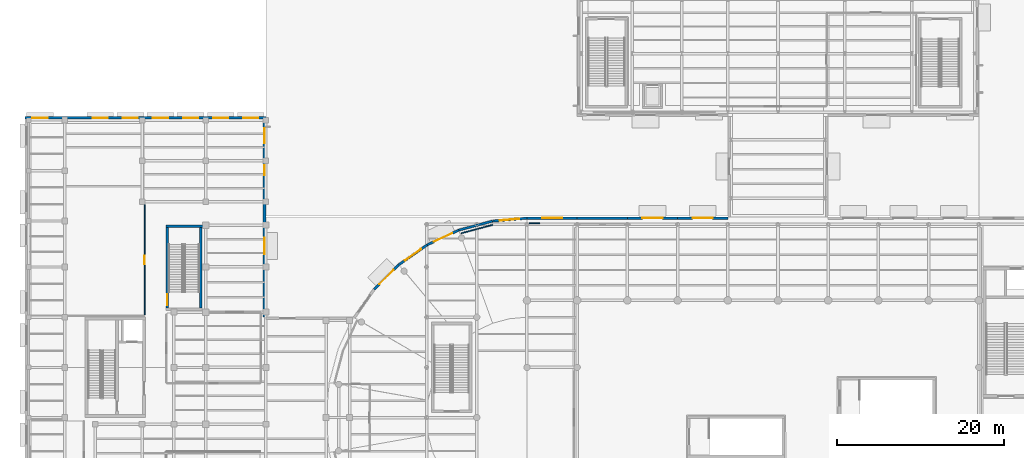
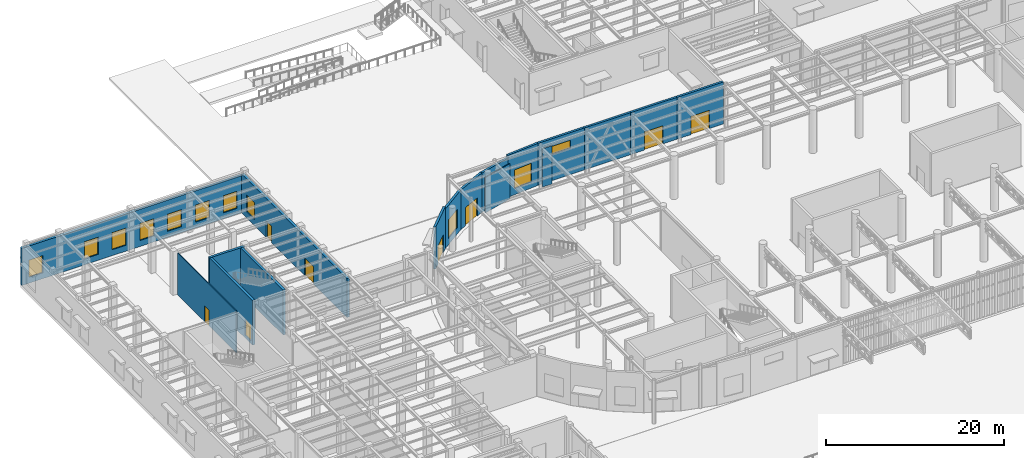
# One storey, part 91 of 118: 17 walls, 11 windows, 8 doors, 19 openings.
"""IFC4 building model written with IfcOpenShell, lengths in metres."""

from ifc_helpers import new_model, si_unit, direction, frame, frame_2d, origin, place, context, subcontext, project, spatial, rectangle, extrude, material, layer, layer_set, type_object, element, fill, save


model = new_model("IFC4")

# Units and contexts
model_context = context("Model", 3, precision=1e-05, world=origin(), true_north=direction((0.0, 1.0)))
body_context = subcontext(model_context, "Body", "Model", "MODEL_VIEW")
ifc_project = project(units=[si_unit("LENGTHUNIT", "METRE"), si_unit("AREAUNIT", "SQUARE_METRE"), si_unit("VOLUMEUNIT", "CUBIC_METRE"), si_unit("PLANEANGLEUNIT", "RADIAN"), si_unit("MASSUNIT", "GRAM", prefix="KILO")], contexts=[model_context])

# Site, building, storey
site_placement = place(None, origin())
site = spatial("IfcSite", under=ifc_project, at=site_placement, CompositionType="ELEMENT")
building_placement = place(site_placement, origin())
building = spatial("IfcBuilding", under=site, at=building_placement, Name="Kolvaren Corner Interchange", CompositionType="ELEMENT")
storey_placement = place(building_placement, origin())
storey = spatial("IfcBuildingStorey", under=building, at=storey_placement, Name="L01", CompositionType="ELEMENT", Elevation=0.0)

# Wall
ifc_material_1 = material(Name="Concrete C35/45", Category="concrete")
ifc_layer_1 = layer(ifc_material_1, 0.31005859375)
ifc_layer_set_1 = layer_set([ifc_layer_1], Name="Concrete C35/45")
wall_type_1 = type_object("IfcWallType", Name="WL-STAIR-300", PredefinedType="SHEAR", material=ifc_layer_set_1)
wall_1_placement = place(storey_placement, frame((16.85009765625, 70.844970703125, -0.39990234375), z_axis=(0.0, 0.0, 1.0), x_axis=(1.0, 0.0, 0.0)))
element("IfcWall", 1, at=wall_1_placement, inside=storey, type_object=wall_type_1, Name="Operations North Wing Protected Exit Stair L01 North Enclosure Wall", PredefinedType="SHEAR", context=body_context, shape_type="SweptSolid", body=[
    extrude(rectangle(XDim=4.599853515625, YDim=0.31005859375, at=frame_2d((2.2998046875, 0.0))), origin(), (0.0, 0.0, 1.0), 6.14990234375),
])

# Wall, opening, door
wall_2_placement = place(storey_placement, frame((17.0048828125, 61.110107421875, -0.39990234375), z_axis=(0.0, 0.0, 1.0), x_axis=(0.0, 1.0, 0.0)))
wall_2 = element("IfcWall", 2, at=wall_2_placement, inside=storey, type_object=wall_type_1, Name="Operations North Wing Protected Exit Stair L01 West Enclosure Wall", PredefinedType="SHEAR", context=body_context, shape_type="SweptSolid", body=[
    extrude(rectangle(XDim=9.579833984375, YDim=0.31005859375, at=frame_2d((4.7900390625, 0.0))), origin(), (0.0, 0.0, 1.0), 6.14990234375),
])
opening_1_placement = place(wall_2_placement, frame((0.300048828125, 0.0, 0.39990234375)))
opening_1 = element("IfcOpeningElement", 3, at=opening_1_placement, cuts=wall_2, Name="Opening D-F05", PredefinedType="OPENING", context=body_context, shape_type="SweptSolid", body=[
    extrude(rectangle(XDim=1.35009765625, YDim=2.14990234375, at=frame_2d((0.675048828125, 1.074951171875))), frame((0.0, 0.1650390625, 0.0), z_axis=(0.0, -1.0, 0.0), x_axis=(1.0, 0.0, 0.0)), (0.0, 0.0, 1.0), 0.330078125),
])
ifc_material_2 = material(Name="Powder-coated Fire-rated Steel Sheet", Category="steel")
door_type_1 = type_object("IfcDoorType", Name="DT-FD-1350x2150", OperationType="NOTDEFINED", PredefinedType="DOOR", material=ifc_material_2)
door_1_placement = place(opening_1_placement, origin())
door_1 = element("IfcDoor", 4, at=door_1_placement, inside=storey, type_object=door_type_1, Name="Operations North Wing Protected Exit Stair L01 Protected Exit Door", OperationType="DOUBLE_DOOR_SINGLE_SWING", OverallHeight=2.14990234375, OverallWidth=1.35009765625, PredefinedType="DOOR", context=body_context, shape_type="SweptSolid", body=[
    extrude(rectangle(XDim=1.35009765625, YDim=2.14990234375, at=frame_2d((0.675048828125, 1.074951171875))), frame((0.0, 0.02490234375, 0.0), z_axis=(0.0, -1.0, 0.0), x_axis=(1.0, 0.0, 0.0)), (0.0, 0.0, 1.0), 0.050048828125),
])
fill(opening_1, door_1)

# Wall
wall_3_placement = place(storey_placement, frame((20.9951171875, 61.110107421875, -0.39990234375), z_axis=(0.0, 0.0, 1.0), x_axis=(0.0, 1.0, 0.0)))
element("IfcWall", 5, at=wall_3_placement, inside=storey, type_object=wall_type_1, Name="Operations North Wing Protected Exit Stair L01 East Enclosure Wall", PredefinedType="SHEAR", context=body_context, shape_type="SweptSolid", body=[
    extrude(rectangle(XDim=9.579833984375, YDim=0.31005859375, at=frame_2d((4.7900390625, 0.0))), origin(), (0.0, 0.0, 1.0), 6.14990234375),
])

# Wall, openings, doors, window
ifc_material_3 = material(Name="Cream Architectural Terracotta Rainscreen Assembly", Category="masonry")
ifc_layer_2 = layer(ifc_material_3, 0.330078125)
ifc_layer_set_2 = layer_set([ifc_layer_2], Name="Cream Architectural Terracotta Rainscreen Assembly")
wall_type_2 = type_object("IfcWallType", Name="WT-EXT-TC320", PredefinedType="SOLIDWALL", material=ifc_layer_set_2)
wall_4_placement = place(storey_placement, frame((28.6298828125, 60.0, 0.0), z_axis=(0.0, 0.0, 1.0), x_axis=(0.0, 1.0, 0.0)))
wall_4 = element("IfcWall", 6, at=wall_4_placement, inside=storey, type_object=wall_type_2, Name="Operations Rain Court East Facade Wall 0008", PredefinedType="SOLIDWALL", context=body_context, shape_type="SweptSolid", body=[
    extrude(rectangle(XDim=23.659912109375, YDim=0.330078125, at=frame_2d((11.830078125, 0.0))), origin(), (0.0, 0.0, 1.0), 5.344970703125),
])
opening_2_placement = place(wall_4_placement, frame((7.517578125, 0.0, 0.0)))
opening_2 = element("IfcOpeningElement", 7, at=opening_2_placement, cuts=wall_4, Name="Opening D-E02", PredefinedType="OPENING", context=body_context, shape_type="SweptSolid", body=[
    extrude(rectangle(XDim=2.0, YDim=2.39990234375, at=frame_2d((1.0, 1.199951171875))), frame((0.0, 0.175048828125, 0.0), z_axis=(0.0, -1.0, 0.0), x_axis=(1.0, 0.0, 0.0)), (0.0, 0.0, 1.0), 0.35009765625),
])
opening_3_placement = place(wall_4_placement, frame((16.979736328125, 0.0, 0.0)))
opening_3 = element("IfcOpeningElement", 8, at=opening_3_placement, cuts=wall_4, Name="Opening D-E03", PredefinedType="OPENING", context=body_context, shape_type="SweptSolid", body=[
    extrude(rectangle(XDim=1.14990234375, YDim=2.25, at=frame_2d((0.574951171875, 1.125))), frame((0.0, 0.175048828125, 0.0), z_axis=(0.0, -1.0, 0.0), x_axis=(1.0, 0.0, 0.0)), (0.0, 0.0, 1.0), 0.35009765625),
])
opening_4_placement = place(wall_4_placement, frame((20.788330078125, 0.0, 0.820068359375)))
opening_4 = element("IfcOpeningElement", 9, at=opening_4_placement, cuts=wall_4, Name="Opening W-03", PredefinedType="OPENING", context=body_context, shape_type="SweptSolid", body=[
    extrude(rectangle(XDim=1.800048828125, YDim=2.35009765625, at=frame_2d((0.89990234375, 1.175048828125))), frame((0.0, 0.175048828125, 0.0), z_axis=(0.0, -1.0, 0.0), x_axis=(1.0, 0.0, 0.0)), (0.0, 0.0, 1.0), 0.35009765625),
])
ifc_material_4 = material(Name="Anodised Aluminium and Laminated Safety Glass", Category="aluminium")
door_type_2 = type_object("IfcDoorType", Name="DT-EXT-DBL2000", OperationType="NOTDEFINED", PredefinedType="DOOR", material=ifc_material_4)
door_2_placement = place(opening_2_placement, origin())
door_2 = element("IfcDoor", 10, at=door_2_placement, inside=storey, type_object=door_type_2, Name="L01 Rain Court Operations Exit Door 003", OperationType="DOUBLE_DOOR_SINGLE_SWING", OverallHeight=2.39990234375, OverallWidth=2.0, PredefinedType="DOOR", context=body_context, shape_type="SweptSolid", body=[
    extrude(rectangle(XDim=2.0, YDim=2.39990234375, at=frame_2d((1.0, 1.199951171875))), frame((0.0, 0.02490234375, 0.0), z_axis=(0.0, -1.0, 0.0), x_axis=(1.0, 0.0, 0.0)), (0.0, 0.0, 1.0), 0.050048828125),
])
fill(opening_2, door_2)
ifc_material_5 = material(Name="Anodised Aluminium and Laminated Safety Glass", Category="aluminium")
door_type_3 = type_object("IfcDoorType", Name="DT-EXT-SGL1150", OperationType="NOTDEFINED", PredefinedType="DOOR", material=ifc_material_5)
door_3_placement = place(opening_3_placement, origin())
door_3 = element("IfcDoor", 11, at=door_3_placement, inside=storey, type_object=door_type_3, Name="L01 North Wing Plinth Exit Door 004", OperationType="SINGLE_SWING_RIGHT", OverallHeight=2.25, OverallWidth=1.14990234375, PredefinedType="DOOR", context=body_context, shape_type="SweptSolid", body=[
    extrude(rectangle(XDim=1.14990234375, YDim=2.25, at=frame_2d((0.574951171875, 1.125))), frame((0.0, 0.02490234375, 0.0), z_axis=(0.0, -1.0, 0.0), x_axis=(1.0, 0.0, 0.0)), (0.0, 0.0, 1.0), 0.050048828125),
])
fill(opening_3, door_3)
ifc_material_6 = material(Name="Thermally Broken Aluminium and Solar-Control Double Glazing", Category="aluminium")
window_type_1 = type_object("IfcWindowType", Name="WT-CHI-1800x2400", PartitioningType="DOUBLE_PANEL_VERTICAL", PredefinedType="WINDOW", material=ifc_material_6)
window_1_placement = place(opening_4_placement, origin())
window_1 = element("IfcWindow", 12, at=window_1_placement, inside=storey, type_object=window_type_1, Name="L01 Operations Rain Court East Facade Window 0009", OverallHeight=2.35009765625, OverallWidth=1.800048828125, PartitioningType="SINGLE_PANEL", PredefinedType="WINDOW", context=body_context, shape_type="SweptSolid", body=[
    extrude(rectangle(XDim=1.800048828125, YDim=2.35009765625, at=frame_2d((0.89990234375, 1.175048828125))), frame((0.0, 0.030029296875, 0.0), z_axis=(0.0, -1.0, 0.0), x_axis=(1.0, 0.0, 0.0)), (0.0, 0.0, 1.0), 0.06005859375),
])
fill(opening_4, window_1)

# Wall, openings, windows
wall_5_placement = place(storey_placement, frame((28.800048828125, 83.830078125, 0.0), z_axis=(0.0, 0.0, 1.0), x_axis=(-1.0, 0.0, 0.0)))
wall_5 = element("IfcWall", 13, at=wall_5_placement, inside=storey, type_object=wall_type_2, Name="Operations North End Facade Wall 0009", PredefinedType="SOLIDWALL", context=body_context, shape_type="SweptSolid", body=[
    extrude(rectangle(XDim=28.800048828125, YDim=0.330078125, at=frame_2d((14.39990234375, 0.0))), origin(), (0.0, 0.0, 1.0), 5.094970703125),
])
opening_5_placement = place(wall_5_placement, frame((0.89990234375, 0.0, 0.820068359375)))
opening_5 = element("IfcOpeningElement", 14, at=opening_5_placement, cuts=wall_5, Name="Opening W-03", PredefinedType="OPENING", context=body_context, shape_type="SweptSolid", body=[
    extrude(rectangle(XDim=1.800048828125, YDim=2.35009765625, at=frame_2d((0.89990234375, 1.175048828125))), frame((0.0, 0.175048828125, 0.0), z_axis=(0.0, -1.0, 0.0), x_axis=(1.0, 0.0, 0.0)), (0.0, 0.0, 1.0), 0.35009765625),
])
opening_6_placement = place(wall_5_placement, frame((4.5, 0.0, 0.820068359375)))
opening_6 = element("IfcOpeningElement", 15, at=opening_6_placement, cuts=wall_5, Name="Opening W-03", PredefinedType="OPENING", context=body_context, shape_type="SweptSolid", body=[
    extrude(rectangle(XDim=1.800048828125, YDim=2.35009765625, at=frame_2d((0.89990234375, 1.175048828125))), frame((0.0, 0.175048828125, 0.0), z_axis=(0.0, -1.0, 0.0), x_axis=(1.0, 0.0, 0.0)), (0.0, 0.0, 1.0), 0.35009765625),
])
opening_7_placement = place(wall_5_placement, frame((8.10009765625, 0.0, 0.820068359375)))
opening_7 = element("IfcOpeningElement", 16, at=opening_7_placement, cuts=wall_5, Name="Opening W-03", PredefinedType="OPENING", context=body_context, shape_type="SweptSolid", body=[
    extrude(rectangle(XDim=1.800048828125, YDim=2.35009765625, at=frame_2d((0.89990234375, 1.175048828125))), frame((0.0, 0.175048828125, 0.0), z_axis=(0.0, -1.0, 0.0), x_axis=(1.0, 0.0, 0.0)), (0.0, 0.0, 1.0), 0.35009765625),
])
opening_8_placement = place(wall_5_placement, frame((11.699951171875, 0.0, 0.820068359375)))
opening_8 = element("IfcOpeningElement", 17, at=opening_8_placement, cuts=wall_5, Name="Opening W-03", PredefinedType="OPENING", context=body_context, shape_type="SweptSolid", body=[
    extrude(rectangle(XDim=1.800048828125, YDim=2.35009765625, at=frame_2d((0.89990234375, 1.175048828125))), frame((0.0, 0.175048828125, 0.0), z_axis=(0.0, -1.0, 0.0), x_axis=(1.0, 0.0, 0.0)), (0.0, 0.0, 1.0), 0.35009765625),
])
opening_9_placement = place(wall_5_placement, frame((15.300048828125, 0.0, 0.820068359375)))
opening_9 = element("IfcOpeningElement", 18, at=opening_9_placement, cuts=wall_5, Name="Opening W-03", PredefinedType="OPENING", context=body_context, shape_type="SweptSolid", body=[
    extrude(rectangle(XDim=1.800048828125, YDim=2.35009765625, at=frame_2d((0.89990234375, 1.175048828125))), frame((0.0, 0.175048828125, 0.0), z_axis=(0.0, -1.0, 0.0), x_axis=(1.0, 0.0, 0.0)), (0.0, 0.0, 1.0), 0.35009765625),
])
opening_10_placement = place(wall_5_placement, frame((18.89990234375, 0.0, 0.820068359375)))
opening_10 = element("IfcOpeningElement", 19, at=opening_10_placement, cuts=wall_5, Name="Opening W-03", PredefinedType="OPENING", context=body_context, shape_type="SweptSolid", body=[
    extrude(rectangle(XDim=1.800048828125, YDim=2.35009765625, at=frame_2d((0.89990234375, 1.175048828125))), frame((0.0, 0.175048828125, 0.0), z_axis=(0.0, -1.0, 0.0), x_axis=(1.0, 0.0, 0.0)), (0.0, 0.0, 1.0), 0.35009765625),
])
opening_11_placement = place(wall_5_placement, frame((26.10009765625, 0.0, 0.820068359375)))
opening_11 = element("IfcOpeningElement", 20, at=opening_11_placement, cuts=wall_5, Name="Opening W-03", PredefinedType="OPENING", context=body_context, shape_type="SweptSolid", body=[
    extrude(rectangle(XDim=1.800048828125, YDim=2.35009765625, at=frame_2d((0.89990234375, 1.175048828125))), frame((0.0, 0.175048828125, 0.0), z_axis=(0.0, -1.0, 0.0), x_axis=(1.0, 0.0, 0.0)), (0.0, 0.0, 1.0), 0.35009765625),
])
window_2_placement = place(opening_5_placement, origin())
window_2 = element("IfcWindow", 21, at=window_2_placement, inside=storey, type_object=window_type_1, Name="L01 Operations North End Facade Window 0010", OverallHeight=2.35009765625, OverallWidth=1.800048828125, PartitioningType="SINGLE_PANEL", PredefinedType="WINDOW", context=body_context, shape_type="SweptSolid", body=[
    extrude(rectangle(XDim=1.800048828125, YDim=2.35009765625, at=frame_2d((0.89990234375, 1.175048828125))), frame((0.0, 0.030029296875, 0.0), z_axis=(0.0, -1.0, 0.0), x_axis=(1.0, 0.0, 0.0)), (0.0, 0.0, 1.0), 0.06005859375),
])
fill(opening_5, window_2)
window_3_placement = place(opening_6_placement, origin())
window_3 = element("IfcWindow", 22, at=window_3_placement, inside=storey, type_object=window_type_1, Name="L01 Operations North End Facade Window 0011", OverallHeight=2.35009765625, OverallWidth=1.800048828125, PartitioningType="SINGLE_PANEL", PredefinedType="WINDOW", context=body_context, shape_type="SweptSolid", body=[
    extrude(rectangle(XDim=1.800048828125, YDim=2.35009765625, at=frame_2d((0.89990234375, 1.175048828125))), frame((0.0, 0.030029296875, 0.0), z_axis=(0.0, -1.0, 0.0), x_axis=(1.0, 0.0, 0.0)), (0.0, 0.0, 1.0), 0.06005859375),
])
fill(opening_6, window_3)
window_4_placement = place(opening_7_placement, origin())
window_4 = element("IfcWindow", 23, at=window_4_placement, inside=storey, type_object=window_type_1, Name="L01 Operations North End Facade Window 0012", OverallHeight=2.35009765625, OverallWidth=1.800048828125, PartitioningType="SINGLE_PANEL", PredefinedType="WINDOW", context=body_context, shape_type="SweptSolid", body=[
    extrude(rectangle(XDim=1.800048828125, YDim=2.35009765625, at=frame_2d((0.89990234375, 1.175048828125))), frame((0.0, 0.030029296875, 0.0), z_axis=(0.0, -1.0, 0.0), x_axis=(1.0, 0.0, 0.0)), (0.0, 0.0, 1.0), 0.06005859375),
])
fill(opening_7, window_4)
window_5_placement = place(opening_8_placement, origin())
window_5 = element("IfcWindow", 24, at=window_5_placement, inside=storey, type_object=window_type_1, Name="L01 Operations North End Facade Window 0013", OverallHeight=2.35009765625, OverallWidth=1.800048828125, PartitioningType="SINGLE_PANEL", PredefinedType="WINDOW", context=body_context, shape_type="SweptSolid", body=[
    extrude(rectangle(XDim=1.800048828125, YDim=2.35009765625, at=frame_2d((0.89990234375, 1.175048828125))), frame((0.0, 0.030029296875, 0.0), z_axis=(0.0, -1.0, 0.0), x_axis=(1.0, 0.0, 0.0)), (0.0, 0.0, 1.0), 0.06005859375),
])
fill(opening_8, window_5)
window_6_placement = place(opening_9_placement, origin())
window_6 = element("IfcWindow", 25, at=window_6_placement, inside=storey, type_object=window_type_1, Name="L01 Operations North End Facade Window 0014", OverallHeight=2.35009765625, OverallWidth=1.800048828125, PartitioningType="SINGLE_PANEL", PredefinedType="WINDOW", context=body_context, shape_type="SweptSolid", body=[
    extrude(rectangle(XDim=1.800048828125, YDim=2.35009765625, at=frame_2d((0.89990234375, 1.175048828125))), frame((0.0, 0.030029296875, 0.0), z_axis=(0.0, -1.0, 0.0), x_axis=(1.0, 0.0, 0.0)), (0.0, 0.0, 1.0), 0.06005859375),
])
fill(opening_9, window_6)
window_7_placement = place(opening_10_placement, origin())
window_7 = element("IfcWindow", 26, at=window_7_placement, inside=storey, type_object=window_type_1, Name="L01 Operations North End Facade Window 0015", OverallHeight=2.35009765625, OverallWidth=1.800048828125, PartitioningType="SINGLE_PANEL", PredefinedType="WINDOW", context=body_context, shape_type="SweptSolid", body=[
    extrude(rectangle(XDim=1.800048828125, YDim=2.35009765625, at=frame_2d((0.89990234375, 1.175048828125))), frame((0.0, 0.030029296875, 0.0), z_axis=(0.0, -1.0, 0.0), x_axis=(1.0, 0.0, 0.0)), (0.0, 0.0, 1.0), 0.06005859375),
])
fill(opening_10, window_7)
window_8_placement = place(opening_11_placement, origin())
window_8 = element("IfcWindow", 27, at=window_8_placement, inside=storey, type_object=window_type_1, Name="L01 Operations North End Facade Window 0016", OverallHeight=2.35009765625, OverallWidth=1.800048828125, PartitioningType="SINGLE_PANEL", PredefinedType="WINDOW", context=body_context, shape_type="SweptSolid", body=[
    extrude(rectangle(XDim=1.800048828125, YDim=2.35009765625, at=frame_2d((0.89990234375, 1.175048828125))), frame((0.0, 0.030029296875, 0.0), z_axis=(0.0, -1.0, 0.0), x_axis=(1.0, 0.0, 0.0)), (0.0, 0.0, 1.0), 0.06005859375),
])
fill(opening_11, window_8)

# Wall, opening, window
ifc_material_7 = material(Name="White Glazed Ceramic Terracotta Band Assembly", Category="masonry")
ifc_layer_3 = layer(ifc_material_7, 0.280029296875)
ifc_layer_set_3 = layer_set([ifc_layer_3], Name="White Glazed Ceramic Terracotta Band Assembly")
wall_type_3 = type_object("IfcWallType", Name="WT-EXT-WHT280", PredefinedType="SOLIDWALL", material=ifc_layer_set_3)
wall_6_placement = place(storey_placement, frame((60.0, 71.840087890625, 0.0), z_axis=(0.0, 0.0, 1.0), x_axis=(-0.99619237826, -0.087182254487, 0.0)))
wall_6 = element("IfcWall", 28, at=wall_6_placement, inside=storey, type_object=wall_type_3, Name="Racetrack West Curved Drum Chord 01 Wall 0065", PredefinedType="SOLIDWALL", context=body_context, shape_type="SweptSolid", body=[
    extrude(rectangle(XDim=4.15576171875, YDim=0.280029296875, at=frame_2d((2.077880859375, 0.0))), origin(), (0.0, 0.0, 1.0), 5.75),
])
opening_12_placement = place(wall_6_placement, frame((0.90283203125, 0.0, 0.85009765625)))
opening_12 = element("IfcOpeningElement", 29, at=opening_12_placement, cuts=wall_6, Name="Opening W-15", PredefinedType="OPENING", context=body_context, shape_type="SweptSolid", body=[
    extrude(rectangle(XDim=2.35009765625, YDim=2.550048828125, at=frame_2d((1.175048828125, 1.27490234375))), frame((0.0, 0.14990234375, 0.0), z_axis=(0.0, -1.0, 0.0), x_axis=(1.0, 0.0, 0.0)), (0.0, 0.0, 1.0), 0.300048828125),
])
ifc_material_8 = material(Name="Thermally Broken Aluminium and Solar-Control Double Glazing", Category="aluminium")
window_type_2 = type_object("IfcWindowType", Name="WT-ARC-2350x2550", PartitioningType="TRIPLE_PANEL_HORIZONTAL", PredefinedType="WINDOW", material=ifc_material_8)
window_9_placement = place(opening_12_placement, origin())
window_9 = element("IfcWindow", 30, at=window_9_placement, inside=storey, type_object=window_type_2, Name="L01 Racetrack West Curved Drum Chord 01 Window 0149", OverallHeight=2.550048828125, OverallWidth=2.35009765625, PartitioningType="SINGLE_PANEL", PredefinedType="WINDOW", context=body_context, shape_type="SweptSolid", body=[
    extrude(rectangle(XDim=2.35009765625, YDim=2.550048828125, at=frame_2d((1.175048828125, 1.27490234375))), frame((0.0, 0.030029296875, 0.0), z_axis=(0.0, -1.0, 0.0), x_axis=(1.0, 0.0, 0.0)), (0.0, 0.0, 1.0), 0.06005859375),
])
fill(opening_12, window_9)

# Wall
wall_7_placement = place(storey_placement, frame((55.860107421875, 71.477783203125, 0.0), z_axis=(0.0, 0.0, 1.0), x_axis=(-0.965931006096, -0.258799713026, 0.0)))
element("IfcWall", 31, at=wall_7_placement, inside=storey, type_object=wall_type_3, Name="Racetrack West Curved Drum Chord 02 Wall 0066", PredefinedType="SOLIDWALL", context=body_context, shape_type="SweptSolid", body=[
    extrude(rectangle(XDim=4.155517578125, YDim=0.280029296875, at=frame_2d((2.07763671875, 0.0))), origin(), (0.0, 0.0, 1.0), 5.385009765625),
])

# Wall, opening, door
wall_8_placement = place(storey_placement, frame((51.84619140625, 70.40234375, 0.0), z_axis=(0.0, 0.0, 1.0), x_axis=(-0.906291177731, -0.422653878685, 0.0)))
wall_8 = element("IfcWall", 32, at=wall_8_placement, inside=storey, type_object=wall_type_3, Name="Racetrack West Curved Drum Chord 03 Wall 0067", PredefinedType="SOLIDWALL", context=body_context, shape_type="SweptSolid", body=[
    extrude(rectangle(XDim=4.155517578125, YDim=0.280029296875, at=frame_2d((2.07763671875, 0.0))), origin(), (0.0, 0.0, 1.0), 5.405029296875),
])
opening_13_placement = place(wall_8_placement, frame((0.877685546875, 0.0, 0.0)))
opening_13 = element("IfcOpeningElement", 33, at=opening_13_placement, cuts=wall_8, Name="Opening D-E01", PredefinedType="OPENING", context=body_context, shape_type="SweptSolid", body=[
    extrude(rectangle(XDim=2.39990234375, YDim=2.5, at=frame_2d((1.199951171875, 1.25))), frame((0.0, 0.14990234375, 0.0), z_axis=(0.0, -1.0, 0.0), x_axis=(1.0, 0.0, 0.0)), (0.0, 0.0, 1.0), 0.300048828125),
])
ifc_material_9 = material(Name="Anodised Aluminium and Laminated Safety Glass", Category="aluminium")
door_type_4 = type_object("IfcDoorType", Name="DT-EXT-DBL2400", OperationType="NOTDEFINED", PredefinedType="DOOR", material=ifc_material_9)
door_4_placement = place(opening_13_placement, origin())
door_4 = element("IfcDoor", 34, at=door_4_placement, inside=storey, type_object=door_type_4, Name="L01 West Racetrack Plinth Concourse Exit Door 010", OperationType="DOUBLE_DOOR_SINGLE_SWING", OverallHeight=2.5, OverallWidth=2.39990234375, PredefinedType="DOOR", context=body_context, shape_type="SweptSolid", body=[
    extrude(rectangle(XDim=2.39990234375, YDim=2.5, at=frame_2d((1.199951171875, 1.25))), frame((0.0, 0.02490234375, 0.0), z_axis=(0.0, -1.0, 0.0), x_axis=(1.0, 0.0, 0.0)), (0.0, 0.0, 1.0), 0.050048828125),
])
fill(opening_13, door_4)

# Wall, opening, window
wall_9_placement = place(storey_placement, frame((48.080078125, 68.64599609375, 0.0), z_axis=(0.0, 0.0, 1.0), x_axis=(-0.819171197327, -0.573549082007, 0.0)))
wall_9 = element("IfcWall", 35, at=wall_9_placement, inside=storey, type_object=wall_type_3, Name="Racetrack West Curved Drum Chord 04 Wall 0068", PredefinedType="SOLIDWALL", context=body_context, shape_type="SweptSolid", body=[
    extrude(rectangle(XDim=4.15576171875, YDim=0.280029296875, at=frame_2d((2.077880859375, 0.0))), origin(), (0.0, 0.0, 1.0), 5.425048828125),
])
opening_14_placement = place(wall_9_placement, frame((0.90283203125, 0.0, 0.85009765625)))
opening_14 = element("IfcOpeningElement", 36, at=opening_14_placement, cuts=wall_9, Name="Opening W-15", PredefinedType="OPENING", context=body_context, shape_type="SweptSolid", body=[
    extrude(rectangle(XDim=2.35009765625, YDim=2.550048828125, at=frame_2d((1.175048828125, 1.27490234375))), frame((0.0, 0.14990234375, 0.0), z_axis=(0.0, -1.0, 0.0), x_axis=(1.0, 0.0, 0.0)), (0.0, 0.0, 1.0), 0.300048828125),
])
window_10_placement = place(opening_14_placement, origin())
window_10 = element("IfcWindow", 37, at=window_10_placement, inside=storey, type_object=window_type_2, Name="L01 Racetrack West Curved Drum Chord 04 Window 0150", OverallHeight=2.550048828125, OverallWidth=2.35009765625, PartitioningType="SINGLE_PANEL", PredefinedType="WINDOW", context=body_context, shape_type="SweptSolid", body=[
    extrude(rectangle(XDim=2.35009765625, YDim=2.550048828125, at=frame_2d((1.175048828125, 1.27490234375))), frame((0.0, 0.030029296875, 0.0), z_axis=(0.0, -1.0, 0.0), x_axis=(1.0, 0.0, 0.0)), (0.0, 0.0, 1.0), 0.06005859375),
])
fill(opening_14, window_10)

# Wall, opening, door
wall_10_placement = place(storey_placement, frame((44.67578125, 66.262451171875, 0.0), z_axis=(0.0, 0.0, 1.0), x_axis=(-0.707106781187, -0.707106781187, 0.0)))
wall_10 = element("IfcWall", 38, at=wall_10_placement, inside=storey, type_object=wall_type_3, Name="Racetrack West Curved Drum Chord 05 Wall 0069", PredefinedType="SOLIDWALL", context=body_context, shape_type="SweptSolid", body=[
    extrude(rectangle(XDim=4.1552734375, YDim=0.280029296875, at=frame_2d((2.07763671875, 0.0))), origin(), (0.0, 0.0, 1.0), 5.75),
])
opening_15_placement = place(wall_10_placement, frame((0.877685546875, 0.0, 0.0)))
opening_15 = element("IfcOpeningElement", 39, at=opening_15_placement, cuts=wall_10, Name="Opening D-E01", PredefinedType="OPENING", context=body_context, shape_type="SweptSolid", body=[
    extrude(rectangle(XDim=2.39990234375, YDim=2.5, at=frame_2d((1.199951171875, 1.25))), frame((0.0, 0.14990234375, 0.0), z_axis=(0.0, -1.0, 0.0), x_axis=(1.0, 0.0, 0.0)), (0.0, 0.0, 1.0), 0.300048828125),
])
door_5_placement = place(opening_15_placement, origin())
door_5 = element("IfcDoor", 40, at=door_5_placement, inside=storey, type_object=door_type_4, Name="L01 West Racetrack Plinth Concourse Exit Door 011", OperationType="DOUBLE_DOOR_SINGLE_SWING", OverallHeight=2.5, OverallWidth=2.39990234375, PredefinedType="DOOR", context=body_context, shape_type="SweptSolid", body=[
    extrude(rectangle(XDim=2.39990234375, YDim=2.5, at=frame_2d((1.199951171875, 1.25))), frame((0.0, 0.02490234375, 0.0), z_axis=(0.0, -1.0, 0.0), x_axis=(1.0, 0.0, 0.0)), (0.0, 0.0, 1.0), 0.050048828125),
])
fill(opening_15, door_5)

# Wall, opening, window
wall_11_placement = place(storey_placement, frame((66.0, 71.840087890625, 0.0), z_axis=(0.0, 0.0, 1.0), x_axis=(-1.0, 0.0, 0.0)))
wall_11 = element("IfcWall", 41, at=wall_11_placement, inside=storey, type_object=wall_type_3, Name="North West Concourse Wall 0157", PredefinedType="SOLIDWALL", context=body_context, shape_type="SweptSolid", body=[
    extrude(rectangle(XDim=6.0, YDim=0.280029296875, at=frame_2d((3.0, 0.0))), origin(), (0.0, 0.0, 1.0), 5.75),
])
opening_16_placement = place(wall_11_placement, frame((1.800048828125, 0.0, 3.60009765625)))
opening_16 = element("IfcOpeningElement", 42, at=opening_16_placement, cuts=wall_11, Name="Opening W-17", PredefinedType="OPENING", context=body_context, shape_type="SweptSolid", body=[
    extrude(rectangle(XDim=2.39990234375, YDim=1.10009765625, at=frame_2d((1.199951171875, 0.550048828125))), frame((0.0, 0.14990234375, 0.0), z_axis=(0.0, -1.0, 0.0), x_axis=(1.0, 0.0, 0.0)), (0.0, 0.0, 1.0), 0.300048828125),
])
ifc_material_10 = material(Name="Thermally Broken Aluminium and Solar-Control Double Glazing", Category="aluminium")
window_type_3 = type_object("IfcWindowType", Name="WT-CLER-2400x1100", PartitioningType="DOUBLE_PANEL_HORIZONTAL", PredefinedType="WINDOW", material=ifc_material_10)
window_11_placement = place(opening_16_placement, origin())
window_11 = element("IfcWindow", 43, at=window_11_placement, inside=storey, type_object=window_type_3, Name="L01 North West Concourse Window 0218", OverallHeight=1.10009765625, OverallWidth=2.39990234375, PartitioningType="SINGLE_PANEL", PredefinedType="WINDOW", context=body_context, shape_type="SweptSolid", body=[
    extrude(rectangle(XDim=2.39990234375, YDim=1.10009765625, at=frame_2d((1.199951171875, 0.550048828125))), frame((0.0, 0.030029296875, 0.0), z_axis=(0.0, -1.0, 0.0), x_axis=(1.0, 0.0, 0.0)), (0.0, 0.0, 1.0), 0.06005859375),
])
fill(opening_16, window_11)

# Wall
wall_12_placement = place(storey_placement, frame((72.0, 71.840087890625, 0.0), z_axis=(0.0, 0.0, 1.0), x_axis=(-1.0, 0.0, 0.0)))
element("IfcWall", 44, at=wall_12_placement, inside=storey, type_object=wall_type_3, Name="North Braced Shear Wall 0158", PredefinedType="SOLIDWALL", context=body_context, shape_type="SweptSolid", body=[
    extrude(rectangle(XDim=6.0, YDim=0.280029296875, at=frame_2d((3.0, 0.0))), origin(), (0.0, 0.0, 1.0), 5.75),
])

# Wall, opening, door
wall_13_placement = place(storey_placement, frame((78.0, 71.840087890625, 0.0), z_axis=(0.0, 0.0, 1.0), x_axis=(-1.0, 0.0, 0.0)))
wall_13 = element("IfcWall", 45, at=wall_13_placement, inside=storey, type_object=wall_type_3, Name="North Court West Wall 0159", PredefinedType="SOLIDWALL", context=body_context, shape_type="SweptSolid", body=[
    extrude(rectangle(XDim=6.0, YDim=0.280029296875, at=frame_2d((3.0, 0.0))), origin(), (0.0, 0.0, 1.0), 5.75),
])
opening_17_placement = place(wall_13_placement, frame((1.800048828125, 0.0, 0.0)))
opening_17 = element("IfcOpeningElement", 46, at=opening_17_placement, cuts=wall_13, Name="Opening D-E01", PredefinedType="OPENING", context=body_context, shape_type="SweptSolid", body=[
    extrude(rectangle(XDim=2.39990234375, YDim=2.5, at=frame_2d((1.199951171875, 1.25))), frame((0.0, 0.14990234375, 0.0), z_axis=(0.0, -1.0, 0.0), x_axis=(1.0, 0.0, 0.0)), (0.0, 0.0, 1.0), 0.300048828125),
])
door_6_placement = place(opening_17_placement, origin())
door_6 = element("IfcDoor", 47, at=door_6_placement, inside=storey, type_object=door_type_4, Name="L01 North Court West Court Exit Door 020", OperationType="DOUBLE_DOOR_SINGLE_SWING", OverallHeight=2.5, OverallWidth=2.39990234375, PredefinedType="DOOR", context=body_context, shape_type="SweptSolid", body=[
    extrude(rectangle(XDim=2.39990234375, YDim=2.5, at=frame_2d((1.199951171875, 1.25))), frame((0.0, 0.02490234375, 0.0), z_axis=(0.0, -1.0, 0.0), x_axis=(1.0, 0.0, 0.0)), (0.0, 0.0, 1.0), 0.050048828125),
])
fill(opening_17, door_6)

wall_14_placement = place(storey_placement, frame((84.0, 71.840087890625, 0.0), z_axis=(0.0, 0.0, 1.0), x_axis=(-1.0, 0.0, 0.0)))
wall_14 = element("IfcWall", 48, at=wall_14_placement, inside=storey, type_object=wall_type_3, Name="North Court Central Wall 0160", PredefinedType="SOLIDWALL", context=body_context, shape_type="SweptSolid", body=[
    extrude(rectangle(XDim=6.0, YDim=0.280029296875, at=frame_2d((3.0, 0.0))), origin(), (0.0, 0.0, 1.0), 5.75),
])
opening_18_placement = place(wall_14_placement, frame((1.800048828125, 0.0, 0.0)))
opening_18 = element("IfcOpeningElement", 49, at=opening_18_placement, cuts=wall_14, Name="Opening D-E01", PredefinedType="OPENING", context=body_context, shape_type="SweptSolid", body=[
    extrude(rectangle(XDim=2.39990234375, YDim=2.5, at=frame_2d((1.199951171875, 1.25))), frame((0.0, 0.14990234375, 0.0), z_axis=(0.0, -1.0, 0.0), x_axis=(1.0, 0.0, 0.0)), (0.0, 0.0, 1.0), 0.300048828125),
])
door_7_placement = place(opening_18_placement, origin())
door_7 = element("IfcDoor", 50, at=door_7_placement, inside=storey, type_object=door_type_4, Name="L01 North Court Central Court Exit Door 021", OperationType="DOUBLE_DOOR_SINGLE_SWING", OverallHeight=2.5, OverallWidth=2.39990234375, PredefinedType="DOOR", context=body_context, shape_type="SweptSolid", body=[
    extrude(rectangle(XDim=2.39990234375, YDim=2.5, at=frame_2d((1.199951171875, 1.25))), frame((0.0, 0.02490234375, 0.0), z_axis=(0.0, -1.0, 0.0), x_axis=(1.0, 0.0, 0.0)), (0.0, 0.0, 1.0), 0.050048828125),
])
fill(opening_18, door_7)

# Walls
ifc_material_11 = material(Name="Standard Metal-Stud Drywall Partition")
ifc_layer_4 = layer(ifc_material_11, 0.1201171875)
ifc_layer_set_4 = layer_set([ifc_layer_4], Name="Standard Metal-Stud Drywall Partition")
wall_type_4 = type_object("IfcWallType", Name="WT-PART-ST125", PredefinedType="PARTITIONING", material=ifc_layer_set_4)
wall_15_placement = place(storey_placement, frame((61.5, 71.199951171875, 0.0), z_axis=(0.0, 0.0, 1.0), x_axis=(-1.0, 0.0, 0.0)))
element("IfcWall", 51, at=wall_15_placement, inside=storey, type_object=wall_type_4, Name="L01 Ticket Hall and Metro Gateline Partition Wall 036", PredefinedType="PARTITIONING", context=body_context, shape_type="SweptSolid", body=[
    extrude(rectangle(XDim=1.23681640625, YDim=0.1201171875, at=frame_2d((0.618408203125, 0.0))), origin(), (0.0, 0.0, 1.0), 5.2451171875),
])
wall_16_placement = place(storey_placement, frame((55.88818359375, 71.031494140625, 0.0), z_axis=(0.0, 0.0, 1.0), x_axis=(-0.965919560425, -0.258842428492, 0.0)))
element("IfcWall", 52, at=wall_16_placement, inside=storey, type_object=wall_type_4, Name="L01 Ticket Hall and Metro Gateline Partition Wall 037", PredefinedType="PARTITIONING", context=body_context, shape_type="SweptSolid", body=[
    extrude(rectangle(XDim=3.86328125, YDim=0.1201171875, at=frame_2d((1.931640625, 0.0))), origin(), (0.0, 0.0, 1.0), 4.8349609375),
])

# Wall, opening, door
wall_17_placement = place(storey_placement, frame((14.300048828125, 60.261962890625, 0.0), z_axis=(0.0, 0.0, 1.0), x_axis=(0.0, 1.0, 0.0)))
wall_17 = element("IfcWall", 53, at=wall_17_placement, inside=storey, type_object=wall_type_4, Name="L01 Station Security and Lost Property Partition Wall 068", PredefinedType="PARTITIONING", context=body_context, shape_type="SweptSolid", body=[
    extrude(rectangle(XDim=13.153076171875, YDim=0.1201171875, at=frame_2d((6.57666015625, 0.0))), origin(), (0.0, 0.0, 1.0), 5.719970703125),
])
opening_19_placement = place(wall_17_placement, frame((6.08642578125, 0.0, 0.0)))
opening_19 = element("IfcOpeningElement", 54, at=opening_19_placement, cuts=wall_17, Name="Opening D-I03", PredefinedType="OPENING", context=body_context, shape_type="SweptSolid", body=[
    extrude(rectangle(XDim=0.97998046875, YDim=2.14990234375, at=frame_2d((0.489990234375, 1.074951171875))), frame((0.0, 0.070068359375, 0.0), z_axis=(0.0, -1.0, 0.0), x_axis=(1.0, 0.0, 0.0)), (0.0, 0.0, 1.0), 0.14013671875),
])
ifc_material_12 = material(Name="Solid-Core Iroko Timber Door", Category="wood")
door_type_5 = type_object("IfcDoorType", Name="DT-INT-980x2150", OperationType="NOTDEFINED", PredefinedType="DOOR", material=ifc_material_12)
door_8_placement = place(opening_19_placement, origin())
door_8 = element("IfcDoor", 55, at=door_8_placement, inside=storey, type_object=door_type_5, Name="L01 Station Security and Lost Property Door", OperationType="SINGLE_SWING_LEFT", OverallHeight=2.14990234375, OverallWidth=0.97998046875, PredefinedType="DOOR", context=body_context, shape_type="SweptSolid", body=[
    extrude(rectangle(XDim=0.97998046875, YDim=2.14990234375, at=frame_2d((0.489990234375, 1.074951171875))), frame((0.0, 0.02490234375, 0.0), z_axis=(0.0, -1.0, 0.0), x_axis=(1.0, 0.0, 0.0)), (0.0, 0.0, 1.0), 0.050048828125),
])
fill(opening_19, door_8)

save(model, "model.ifc")
